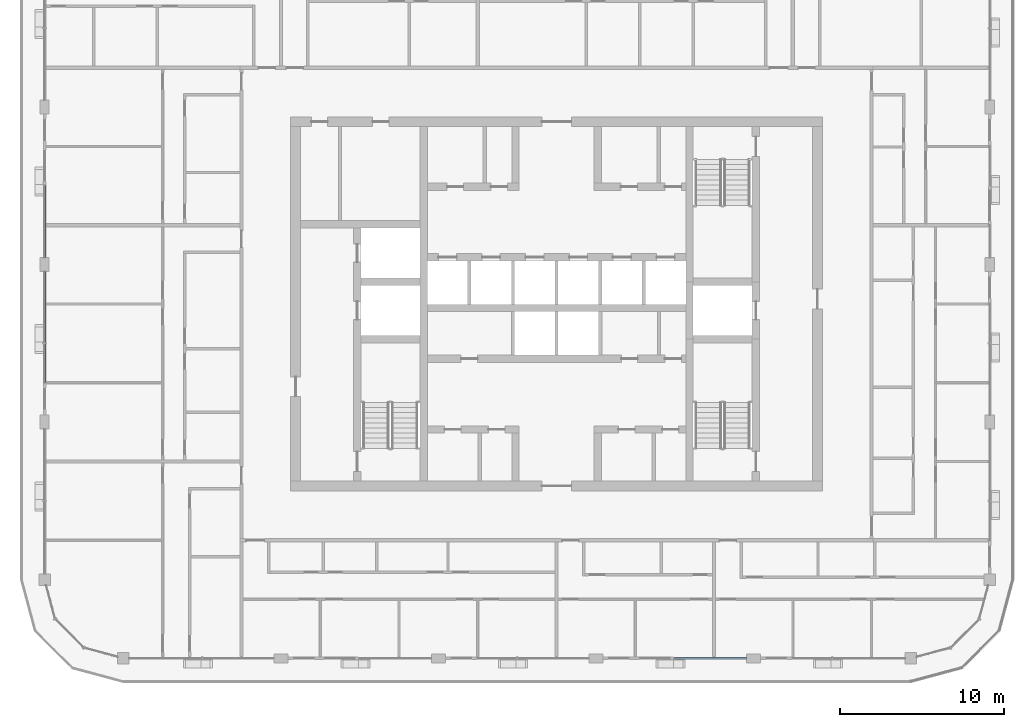
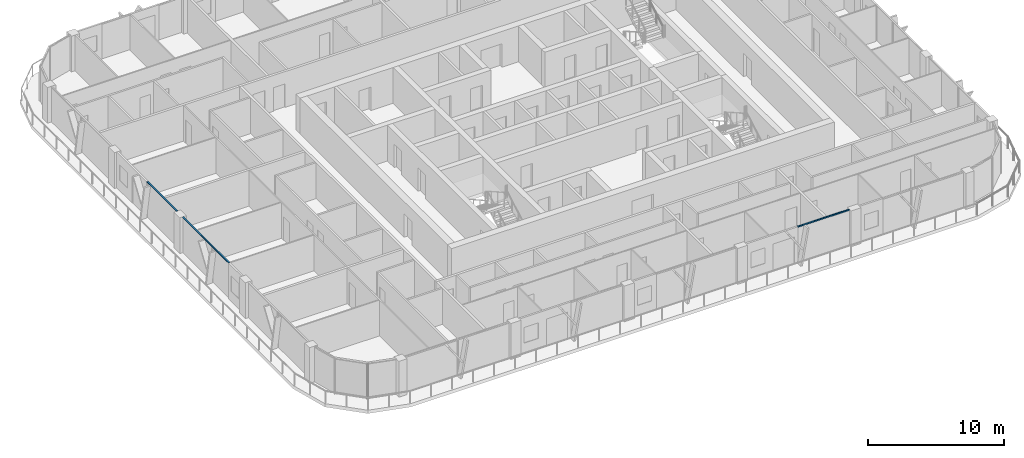
# One storey, part 3 of 21: 3 members, 3 elements without a shape of their own.
"""IFC4 building model written with IfcOpenShell, lengths in metres."""

from ifc_helpers import new_model, si_unit, direction, frame, origin, origin_2d, place, context, subcontext, project, spatial, rectangle, extrude, material, layer, layer_set, material_profile, profile_set, type_object, element, aggregate, save


model = new_model("IFC4")

# Units and contexts
model_context = context("Model", 3, precision=1e-05, world=origin(), true_north=direction((0.0, 1.0)))
body_context = subcontext(model_context, "Body", "Model", "MODEL_VIEW")
ifc_project = project(units=[si_unit("LENGTHUNIT", "METRE"), si_unit("AREAUNIT", "SQUARE_METRE"), si_unit("VOLUMEUNIT", "CUBIC_METRE"), si_unit("PLANEANGLEUNIT", "RADIAN"), si_unit("MASSUNIT", "GRAM", prefix="KILO")], contexts=[model_context])

# Site, building, storey
site_placement = place(None, origin())
site = spatial("IfcSite", under=ifc_project, at=site_placement, CompositionType="ELEMENT")
building_placement = place(site_placement, origin())
building = spatial("IfcBuilding", under=site, at=building_placement, Name="Madar Terraces", CompositionType="ELEMENT")
storey_placement = place(building_placement, frame((0.0, 0.0, 238.699951171875)))
storey = spatial("IfcBuildingStorey", under=building, at=storey_placement, Name="L62", CompositionType="ELEMENT", Elevation=238.699951171875)

# Curtain wall, member
ifc_material_1 = material(Name="Glass, ceramic frit dark grey, with black aluminium frame", Category="aluminium")
ifc_layer = layer(ifc_material_1, 0.199951171875)
ifc_layer_set = layer_set([ifc_layer], Name="Facade curtain wall, fritted glass")
curtain_wall_type = type_object("IfcCurtainWallType", Name="Facade curtain wall, fritted glass", PredefinedType="NOTDEFINED", material=ifc_layer_set)
curtain_wall_1_placement = place(storey_placement, origin())
curtain_wall_1 = element("IfcCurtainWall", 1, at=curtain_wall_1_placement, inside=storey, type_object=curtain_wall_type, Name="Outer skin curtain wall south bay 4", PredefinedType="NOTDEFINED")
ifc_material_2 = material(Name="Aluminium, black anodised", Category="aluminium")
ifc_material_profile = material_profile(ifc_material_2, rectangle(XDim=0.1201171875, YDim=0.06005859375, at=origin_2d()), Name="Facade transom 60x120")
ifc_profile_set = profile_set([ifc_material_profile], Name="Aluminium, black anodised")
member_type = type_object("IfcMemberType", Name="Facade transom 60x120", PredefinedType="USERDEFINED", material=ifc_profile_set)
member_1_placement = place(storey_placement, frame((38.39990234375, 4.800048828125, 3.170166015625), z_axis=(1.0, 0.0, 0.0), x_axis=(0.0, 1.0, 0.0)))
member_1 = element("IfcMember", 2, at=member_1_placement, type_object=member_type, Name="Transom 1", ObjectType="TRANSOM", PredefinedType="USERDEFINED", context=body_context, shape_type="SweptSolid", body=[
    extrude(rectangle(XDim=0.1201171875, YDim=0.06005859375, at=origin_2d()), origin(), (0.0, 0.0, 1.0), 4.375),
])
aggregate(curtain_wall_1, [member_1])

curtain_wall_2_placement = place(storey_placement, origin())
curtain_wall_2 = element("IfcCurtainWall", 3, at=curtain_wall_2_placement, inside=storey, type_object=curtain_wall_type, Name="Outer skin curtain wall west bay 2", PredefinedType="NOTDEFINED")
member_2_placement = place(storey_placement, frame((0.0, 33.60009765625, 3.170166015625), z_axis=(0.0, -1.0, 0.0), x_axis=(1.0, 0.0, 0.0)))
member_2 = element("IfcMember", 4, at=member_2_placement, type_object=member_type, Name="Transom 1", ObjectType="TRANSOM", PredefinedType="USERDEFINED", context=body_context, shape_type="SweptSolid", body=[
    extrude(rectangle(XDim=0.1201171875, YDim=0.06005859375, at=origin_2d()), origin(), (0.0, 0.0, 1.0), 4.375),
])
aggregate(curtain_wall_2, [member_2])

curtain_wall_3_placement = place(storey_placement, origin())
curtain_wall_3 = element("IfcCurtainWall", 5, at=curtain_wall_3_placement, inside=storey, type_object=curtain_wall_type, Name="Outer skin curtain wall west bay 3", PredefinedType="NOTDEFINED")
member_3_placement = place(storey_placement, frame((0.0, 28.375, 3.170166015625), z_axis=(0.0, -1.0, 0.0), x_axis=(1.0, 0.0, 0.0)))
member_3 = element("IfcMember", 6, at=member_3_placement, type_object=member_type, Name="Transom 1", ObjectType="TRANSOM", PredefinedType="USERDEFINED", context=body_context, shape_type="SweptSolid", body=[
    extrude(rectangle(XDim=0.1201171875, YDim=0.06005859375, at=origin_2d()), origin(), (0.0, 0.0, 1.0), 6.77490234375),
])
aggregate(curtain_wall_3, [member_3])

save(model, "model.ifc")
